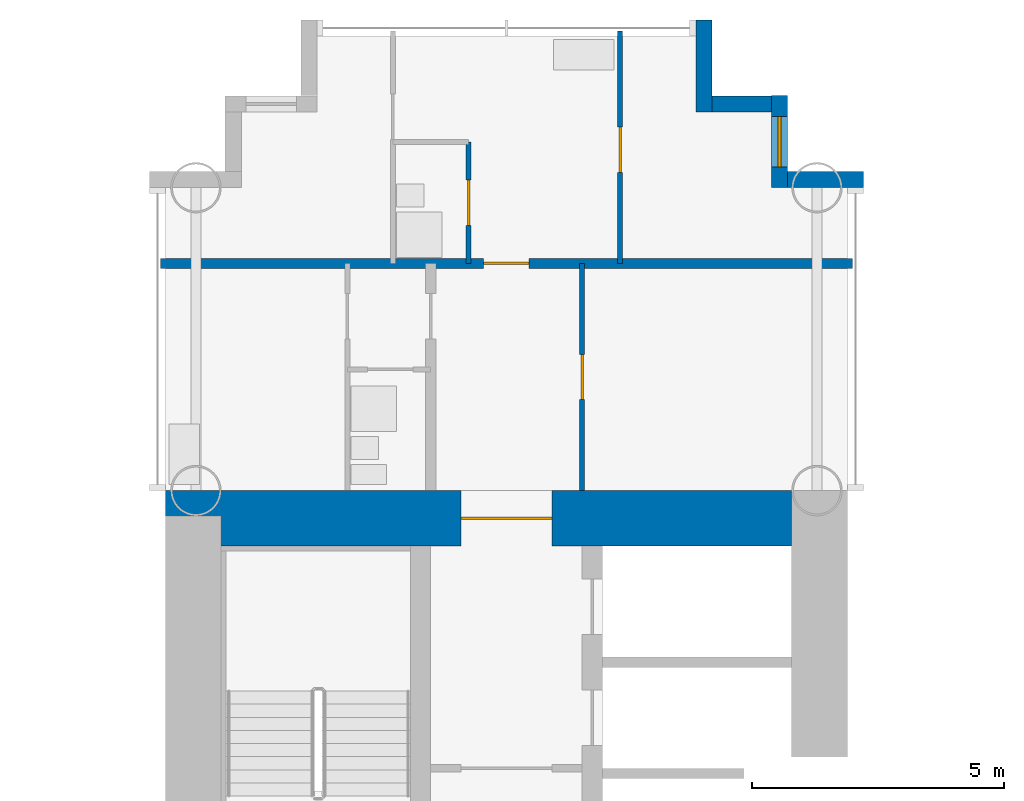
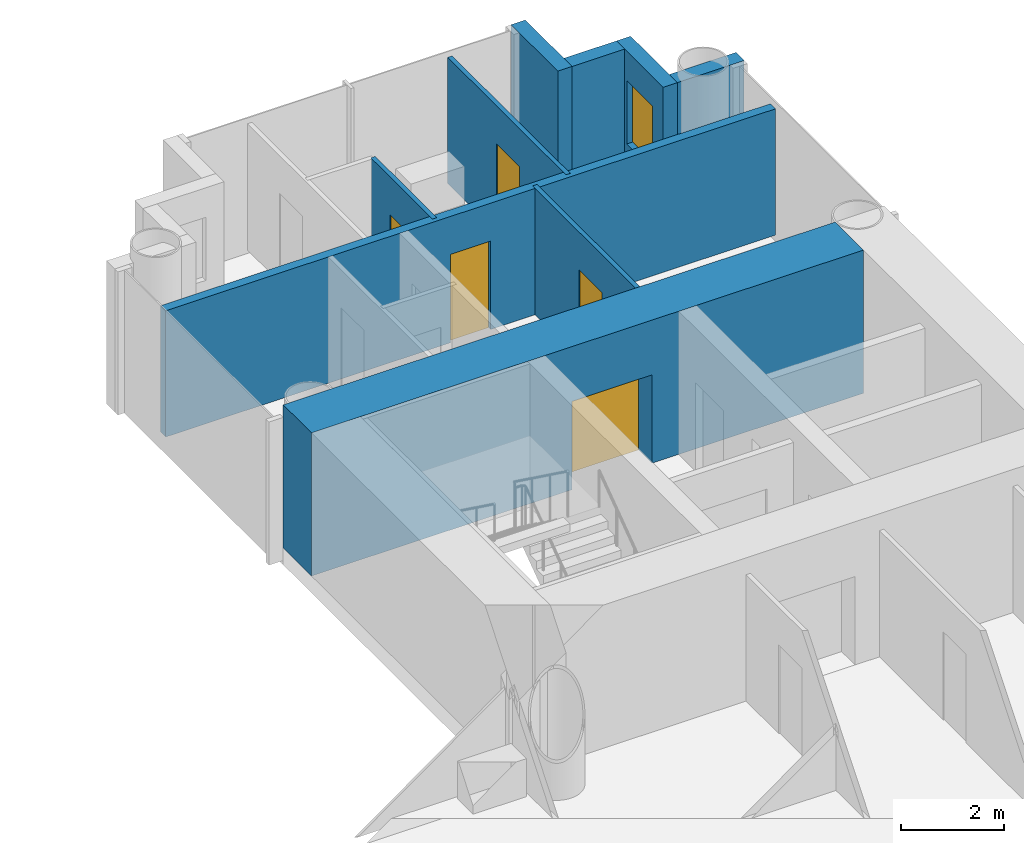
# One storey, part 15 of 21: 9 walls, 5 doors, 1 window, 6 openings.
"""IFC4 building model written with IfcOpenShell, lengths in metres."""

from ifc_helpers import new_model, si_unit, direction, frame, frame_2d, origin, place, context, subcontext, project, spatial, rectangle, extrude, material, layer, layer_set, type_object, element, fill, save


model = new_model("IFC4")

# Units and contexts
model_context = context("Model", 3, precision=1e-05, world=origin(), true_north=direction((0.0, 1.0)))
body_context = subcontext(model_context, "Body", "Model", "MODEL_VIEW")
ifc_project = project(units=[si_unit("LENGTHUNIT", "METRE"), si_unit("AREAUNIT", "SQUARE_METRE"), si_unit("VOLUMEUNIT", "CUBIC_METRE"), si_unit("PLANEANGLEUNIT", "RADIAN"), si_unit("MASSUNIT", "GRAM", prefix="KILO")], contexts=[model_context])

# Site, building, storey
site_placement = place(None, origin())
site = spatial("IfcSite", under=ifc_project, at=site_placement, CompositionType="ELEMENT")
building_placement = place(site_placement, origin())
building = spatial("IfcBuilding", under=site, at=building_placement, Name="Ipe Terrace Towers", CompositionType="ELEMENT")
storey_placement = place(building_placement, frame((0.0, 0.0, 34.699951171875)))
storey = spatial("IfcBuildingStorey", under=building, at=storey_placement, Name="L08", CompositionType="ELEMENT", Elevation=34.699951171875)

# Wall
ifc_material_1 = material(Name="Concrete C40/50 with buff precast cladding", Category="concrete")
ifc_layer_1 = layer(ifc_material_1, 0.320068359375)
ifc_layer_set_1 = layer_set([ifc_layer_1], Name="BUFF CLADDING WALL 320")
wall_type_1 = type_object("IfcWallType", Name="BUFF CLADDING WALL 320", PredefinedType="STANDARD", material=ifc_layer_set_1)
wall_1_placement = place(storey_placement, frame((43.070068359375, 21.909912109375, -0.300048828125), z_axis=(0.0, 0.0, 1.0), x_axis=(-1.0, 0.0, 0.0)))
element("IfcWall", 1, at=wall_1_placement, inside=storey, type_object=wall_type_1, Name="T2-W-L08-21a wall", PredefinedType="STANDARD", context=body_context, shape_type="SweptSolid", body=[
    extrude(rectangle(XDim=1.5, YDim=0.320068359375, at=frame_2d((0.75, 0.0))), origin(), (0.0, 0.0, 1.0), 3.400146484375),
])

# Wall, opening, window
wall_2_placement = place(storey_placement, frame((41.409912109375, 21.75, -0.300048828125), z_axis=(0.0, 0.0, 1.0), x_axis=(0.0, 1.0, 0.0)))
wall_2 = element("IfcWall", 2, at=wall_2_placement, inside=storey, type_object=wall_type_1, Name="T2-W-L08-22a wall", PredefinedType="STANDARD", context=body_context, shape_type="SweptSolid", body=[
    extrude(rectangle(XDim=1.820068359375, YDim=0.320068359375, at=frame_2d((0.91015625, 0.0))), origin(), (0.0, 0.0, 1.0), 3.400146484375),
])
opening_1_placement = place(wall_2_placement, frame((0.409912109375, 0.0, 1.199951171875)))
opening_1 = element("IfcOpeningElement", 3, at=opening_1_placement, cuts=wall_2, Name="Opening T2-W-05-L08-02", PredefinedType="OPENING", context=body_context, shape_type="SweptSolid", body=[
    extrude(rectangle(XDim=1.0, YDim=1.5, at=frame_2d((0.5, 0.75))), frame((0.0, 0.169921875, 0.0), z_axis=(0.0, -1.0, 0.0), x_axis=(1.0, 0.0, 0.0)), (0.0, 0.0, 1.0), 0.340087890625),
])
ifc_material_2 = material(Name="Glass, clear laminated", Category="glass")
window_type = type_object("IfcWindowType", Name="DWELLING WINDOW 1000 x 1500", PartitioningType="SINGLE_PANEL", PredefinedType="WINDOW", material=ifc_material_2)
window_placement = place(opening_1_placement, origin())
window = element("IfcWindow", 4, at=window_placement, inside=storey, type_object=window_type, Name="W-05 window", OverallHeight=1.5, OverallWidth=1.0, PartitioningType="SINGLE_PANEL", PredefinedType="WINDOW", context=body_context, shape_type="SweptSolid", body=[
    extrude(rectangle(XDim=1.0, YDim=1.5, at=frame_2d((0.5, 0.75))), frame((0.0, 0.030029296875, 0.0), z_axis=(0.0, -1.0, 0.0), x_axis=(1.0, 0.0, 0.0)), (0.0, 0.0, 1.0), 0.06005859375),
])
fill(opening_1, window)

# Walls
wall_3_placement = place(storey_placement, frame((41.25, 23.409912109375, -0.300048828125), z_axis=(0.0, 0.0, 1.0), x_axis=(-1.0, 0.0, 0.0)))
element("IfcWall", 5, at=wall_3_placement, inside=storey, type_object=wall_type_1, Name="T2-W-L08-23a wall", PredefinedType="STANDARD", context=body_context, shape_type="SweptSolid", body=[
    extrude(rectangle(XDim=1.179931640625, YDim=0.320068359375, at=frame_2d((0.58984375, 0.0))), origin(), (0.0, 0.0, 1.0), 3.400146484375),
])
wall_4_placement = place(storey_placement, frame((39.909912109375, 23.25, -0.300048828125), z_axis=(0.0, 0.0, 1.0), x_axis=(0.0, 1.0, 0.0)))
element("IfcWall", 6, at=wall_4_placement, inside=storey, type_object=wall_type_1, Name="T2-W-L08-24a wall", PredefinedType="STANDARD", context=body_context, shape_type="SweptSolid", body=[
    extrude(rectangle(XDim=1.820068359375, YDim=0.320068359375, at=frame_2d((0.91015625, 0.0))), origin(), (0.0, 0.0, 1.0), 3.400146484375),
])

# Wall, opening, door
ifc_material_3 = material(Name="Gypsum board partition", Category="plasterboard")
ifc_layer_2 = layer(ifc_material_3, 0.10009765625)
ifc_layer_set_2 = layer_set([ifc_layer_2], Name="Gypsum board partition 100 mm")
wall_type_2 = type_object("IfcWallType", Name="Gypsum board partition 100 mm", PredefinedType="PARTITIONING", material=ifc_layer_set_2)
wall_5_placement = place(storey_placement, frame((38.25, 20.25, 0.0), z_axis=(0.0, 0.0, 1.0), x_axis=(0.0, 1.0, 0.0)))
wall_5 = element("IfcWall", 7, at=wall_5_placement, inside=storey, type_object=wall_type_2, Name="Gypsum board partition T2 L08 W31", PredefinedType="PARTITIONING", context=body_context, shape_type="SweptSolid", body=[
    extrude(rectangle(XDim=4.60009765625, YDim=0.10009765625, at=frame_2d((2.300048828125, 0.0))), origin(), (0.0, 0.0, 1.0), 3.0),
])
opening_2_placement = place(wall_5_placement, frame((1.800048828125, 0.0, 0.0)))
opening_2 = element("IfcOpeningElement", 8, at=opening_2_placement, cuts=wall_5, Name="Opening T2-Z1B-29", PredefinedType="OPENING", context=body_context, shape_type="SweptSolid", body=[
    extrude(rectangle(XDim=0.89990234375, YDim=2.10009765625, at=frame_2d((0.449951171875, 1.050048828125))), frame((0.0, 0.06005859375, 0.0), z_axis=(0.0, -1.0, 0.0), x_axis=(1.0, 0.0, 0.0)), (0.0, 0.0, 1.0), 0.1201171875),
])
ifc_material_4 = material(Name="Timber door leaf", Category="wood")
door_type_1 = type_object("IfcDoorType", Name="Bedroom door 900 x 2100", OperationType="NOTDEFINED", PredefinedType="DOOR", material=ifc_material_4)
door_1_placement = place(opening_2_placement, origin())
door_1 = element("IfcDoor", 9, at=door_1_placement, inside=storey, type_object=door_type_1, Name="Bedroom door T2-Z1B-29", OperationType="SINGLE_SWING_LEFT", OverallHeight=2.10009765625, OverallWidth=0.89990234375, PredefinedType="DOOR", context=body_context, shape_type="SweptSolid", body=[
    extrude(rectangle(XDim=0.89990234375, YDim=2.10009765625, at=frame_2d((0.449951171875, 1.050048828125))), frame((0.0, 0.02490234375, 0.0), z_axis=(0.0, -1.0, 0.0), x_axis=(1.0, 0.0, 0.0)), (0.0, 0.0, 1.0), 0.050048828125),
])
fill(opening_2, door_1)

wall_6_placement = place(storey_placement, frame((37.5, 15.75, 0.0), z_axis=(0.0, 0.0, 1.0), x_axis=(0.0, 1.0, 0.0)))
wall_6 = element("IfcWall", 10, at=wall_6_placement, inside=storey, type_object=wall_type_2, Name="Gypsum board partition T2 L08 W35", PredefinedType="PARTITIONING", context=body_context, shape_type="SweptSolid", body=[
    extrude(rectangle(XDim=4.5, YDim=0.10009765625, at=frame_2d((2.25, 0.0))), origin(), (0.0, 0.0, 1.0), 3.0),
])
opening_3_placement = place(wall_6_placement, frame((1.800048828125, 0.0, 0.0)))
opening_3 = element("IfcOpeningElement", 11, at=opening_3_placement, cuts=wall_6, Name="Opening T2-Z1B-25", PredefinedType="OPENING", context=body_context, shape_type="SweptSolid", body=[
    extrude(rectangle(XDim=0.89990234375, YDim=2.10009765625, at=frame_2d((0.449951171875, 1.050048828125))), frame((0.0, 0.06005859375, 0.0), z_axis=(0.0, -1.0, 0.0), x_axis=(1.0, 0.0, 0.0)), (0.0, 0.0, 1.0), 0.1201171875),
])
ifc_material_5 = material(Name="Timber door leaf", Category="wood")
door_type_2 = type_object("IfcDoorType", Name="Lounge door 900 x 2100", OperationType="NOTDEFINED", PredefinedType="DOOR", material=ifc_material_5)
door_2_placement = place(opening_3_placement, origin())
door_2 = element("IfcDoor", 12, at=door_2_placement, inside=storey, type_object=door_type_2, Name="Lounge door T2-Z1B-25", OperationType="SINGLE_SWING_RIGHT", OverallHeight=2.10009765625, OverallWidth=0.89990234375, PredefinedType="DOOR", context=body_context, shape_type="SweptSolid", body=[
    extrude(rectangle(XDim=0.89990234375, YDim=2.10009765625, at=frame_2d((0.449951171875, 1.050048828125))), frame((0.0, 0.02490234375, 0.0), z_axis=(0.0, -1.0, 0.0), x_axis=(1.0, 0.0, 0.0)), (0.0, 0.0, 1.0), 0.050048828125),
])
fill(opening_3, door_2)

wall_7_placement = place(storey_placement, frame((35.25, 20.25, 0.0), z_axis=(0.0, 0.0, 1.0), x_axis=(0.0, 1.0, 0.0)))
wall_7 = element("IfcWall", 13, at=wall_7_placement, inside=storey, type_object=wall_type_2, Name="Gypsum board partition T2 L08 W36", PredefinedType="PARTITIONING", context=body_context, shape_type="SweptSolid", body=[
    extrude(rectangle(XDim=2.39990234375, YDim=0.10009765625, at=frame_2d((1.199951171875, 0.0))), origin(), (0.0, 0.0, 1.0), 3.0),
])
opening_4_placement = place(wall_7_placement, frame((0.75, 0.0, 0.0)))
opening_4 = element("IfcOpeningElement", 14, at=opening_4_placement, cuts=wall_7, Name="Opening T2-Z1B-26", PredefinedType="OPENING", context=body_context, shape_type="SweptSolid", body=[
    extrude(rectangle(XDim=0.89990234375, YDim=2.10009765625, at=frame_2d((0.449951171875, 1.050048828125))), frame((0.0, 0.06005859375, 0.0), z_axis=(0.0, -1.0, 0.0), x_axis=(1.0, 0.0, 0.0)), (0.0, 0.0, 1.0), 0.1201171875),
])
ifc_material_6 = material(Name="Timber door leaf", Category="wood")
door_type_3 = type_object("IfcDoorType", Name="Bathroom door 900 x 2100", OperationType="NOTDEFINED", PredefinedType="DOOR", material=ifc_material_6)
door_3_placement = place(opening_4_placement, origin())
door_3 = element("IfcDoor", 15, at=door_3_placement, inside=storey, type_object=door_type_3, Name="Bathroom door T2-Z1B-26", OperationType="SINGLE_SWING_LEFT", OverallHeight=2.10009765625, OverallWidth=0.89990234375, PredefinedType="DOOR", context=body_context, shape_type="SweptSolid", body=[
    extrude(rectangle(XDim=0.89990234375, YDim=2.10009765625, at=frame_2d((0.449951171875, 1.050048828125))), frame((0.0, 0.02490234375, 0.0), z_axis=(0.0, -1.0, 0.0), x_axis=(1.0, 0.0, 0.0)), (0.0, 0.0, 1.0), 0.050048828125),
])
fill(opening_4, door_3)

ifc_material_7 = material(Name="Gypsum board party wall", Category="plasterboard")
ifc_layer_3 = layer(ifc_material_7, 0.199951171875)
ifc_layer_set_3 = layer_set([ifc_layer_3], Name="Gypsum board party wall 200 mm")
wall_type_3 = type_object("IfcWallType", Name="Gypsum board party wall 200 mm", PredefinedType="SOLIDWALL", material=ifc_layer_set_3)
wall_8_placement = place(storey_placement, frame((42.85009765625, 20.25, 0.0), z_axis=(0.0, 0.0, 1.0), x_axis=(-1.0, 0.0, 0.0)))
wall_8 = element("IfcWall", 16, at=wall_8_placement, inside=storey, type_object=wall_type_3, Name="Gypsum board party wall T2 L08 W19", PredefinedType="SOLIDWALL", context=body_context, shape_type="SweptSolid", body=[
    extrude(rectangle(XDim=13.7001953125, YDim=0.199951171875, at=frame_2d((6.85009765625, 0.0))), origin(), (0.0, 0.0, 1.0), 3.0),
])
opening_5_placement = place(wall_8_placement, frame((6.39990234375, 0.0, 0.0)))
opening_5 = element("IfcOpeningElement", 17, at=opening_5_placement, cuts=wall_8, Name="Opening T2-Z1B-27", PredefinedType="OPENING", context=body_context, shape_type="SweptSolid", body=[
    extrude(rectangle(XDim=0.89990234375, YDim=2.10009765625, at=frame_2d((0.449951171875, 1.050048828125))), frame((0.0, 0.10986328125, 0.0), z_axis=(0.0, -1.0, 0.0), x_axis=(1.0, 0.0, 0.0)), (0.0, 0.0, 1.0), 0.219970703125),
])
ifc_material_8 = material(Name="Fire-rated timber door leaf", Category="wood")
door_type_4 = type_object("IfcDoorType", Name="Flat entrance door 900 x 2100 FD30S", OperationType="NOTDEFINED", PredefinedType="DOOR", material=ifc_material_8)
door_4_placement = place(opening_5_placement, origin())
door_4 = element("IfcDoor", 18, at=door_4_placement, inside=storey, type_object=door_type_4, Name="Flat entrance door T2-Z1B-27", OperationType="SINGLE_SWING_RIGHT", OverallHeight=2.10009765625, OverallWidth=0.89990234375, PredefinedType="DOOR", context=body_context, shape_type="SweptSolid", body=[
    extrude(rectangle(XDim=0.89990234375, YDim=2.10009765625, at=frame_2d((0.449951171875, 1.050048828125))), frame((0.0, 0.02490234375, 0.0), z_axis=(0.0, -1.0, 0.0), x_axis=(1.0, 0.0, 0.0)), (0.0, 0.0, 1.0), 0.050048828125),
])
fill(opening_5, door_4)

ifc_material_9 = material(Name="Concrete C60/75", Category="concrete")
ifc_layer_4 = layer(ifc_material_9, 1.10009765625)
ifc_layer_set_4 = layer_set([ifc_layer_4], Name="RW1100 CORE WALL 1100 C60-75")
wall_type_4 = type_object("IfcWallType", Name="RW1100 CORE WALL 1100 C60-75", PredefinedType="SHEAR", material=ifc_layer_set_4)
wall_9_placement = place(storey_placement, frame((41.64990234375, 15.199951171875, 0.0), z_axis=(0.0, 0.0, 1.0), x_axis=(-1.0, 0.0, 0.0)))
wall_9 = element("IfcWall", 19, at=wall_9_placement, inside=storey, type_object=wall_type_4, Name="Core wall T2-C1-Z1-W03", PredefinedType="SHEAR", context=body_context, shape_type="SweptSolid", body=[
    extrude(rectangle(XDim=12.39990234375, YDim=1.10009765625, at=frame_2d((6.199951171875, 0.0))), origin(), (0.0, 0.0, 1.0), 3.400146484375),
])
opening_6_placement = place(wall_9_placement, frame((4.75, 0.0, 0.0)))
opening_6 = element("IfcOpeningElement", 20, at=opening_6_placement, cuts=wall_9, Name="Opening T2C1-FD", PredefinedType="OPENING", context=body_context, shape_type="SweptSolid", body=[
    extrude(rectangle(XDim=1.800048828125, YDim=2.10009765625, at=frame_2d((0.89990234375, 1.050048828125))), frame((0.0, 0.56005859375, 0.0), z_axis=(0.0, -1.0, 0.0), x_axis=(1.0, 0.0, 0.0)), (0.0, 0.0, 1.0), 1.1201171875),
])
ifc_material_10 = material(Name="Fire-rated timber door leaf", Category="wood")
door_type_5 = type_object("IfcDoorType", Name="Fire door 1800 x 2100 FD30S", OperationType="NOTDEFINED", PredefinedType="DOOR", material=ifc_material_10)
door_5_placement = place(opening_6_placement, origin())
door_5 = element("IfcDoor", 21, at=door_5_placement, inside=storey, type_object=door_type_5, Name="Fire door T2C1-FD", OperationType="SINGLE_SWING_LEFT", OverallHeight=2.10009765625, OverallWidth=1.800048828125, PredefinedType="DOOR", context=body_context, shape_type="SweptSolid", body=[
    extrude(rectangle(XDim=1.800048828125, YDim=2.10009765625, at=frame_2d((0.89990234375, 1.050048828125))), frame((0.0, 0.02490234375, 0.0), z_axis=(0.0, -1.0, 0.0), x_axis=(1.0, 0.0, 0.0)), (0.0, 0.0, 1.0), 0.050048828125),
])
fill(opening_6, door_5)

save(model, "model.ifc")
